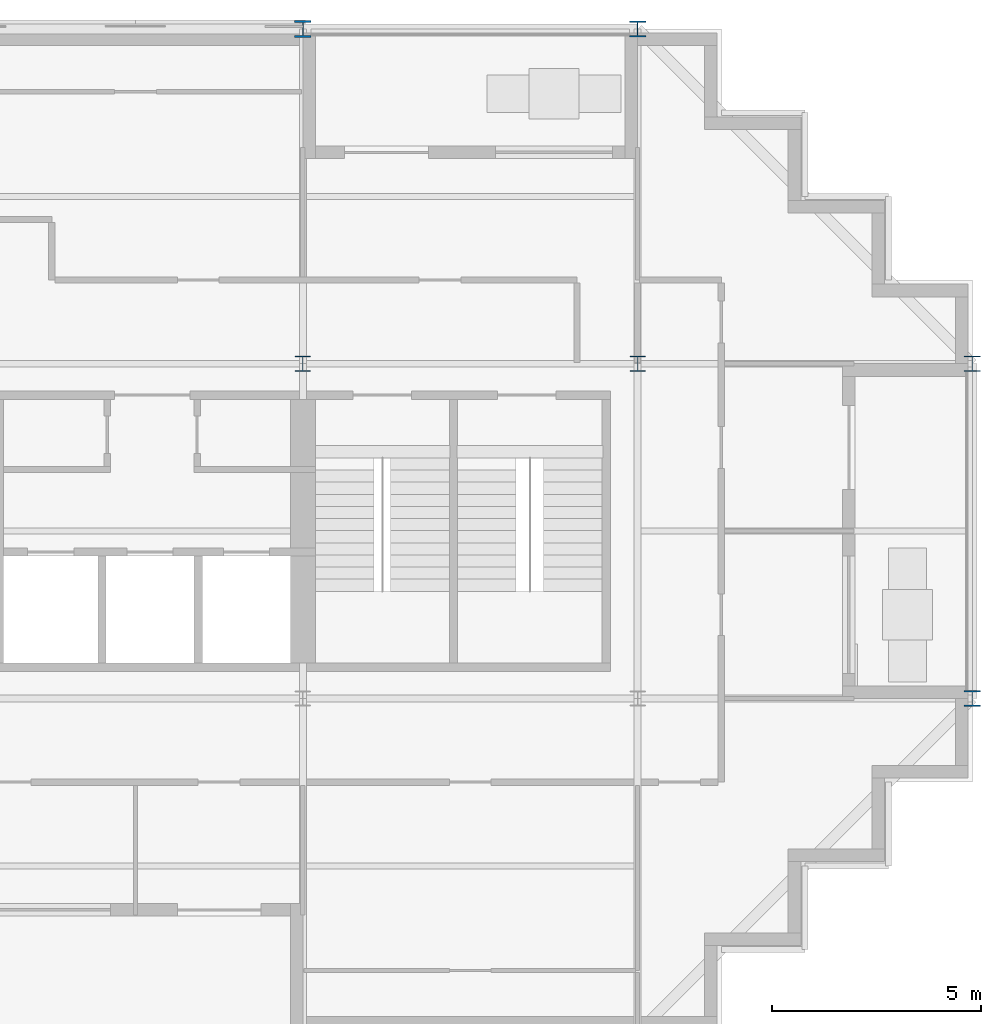
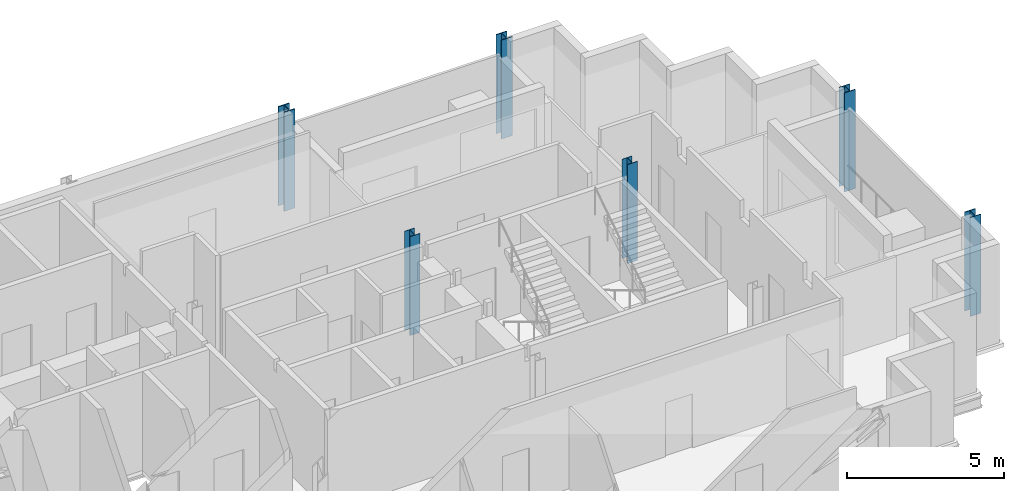
# One storey, part 2 of 10: 6 columns.
"""IFC4 building model written with IfcOpenShell, lengths in metres."""

from ifc_helpers import new_model, si_unit, direction, frame, origin, origin_2d, place, context, subcontext, project, spatial, i_section, extrude, material, material_profile, profile_set, type_object, element, save


model = new_model("IFC4")

# Units and contexts
model_context = context("Model", 3, precision=1e-05, world=origin(), true_north=direction((0.0, 1.0)))
body_context = subcontext(model_context, "Body", "Model", "MODEL_VIEW")
ifc_project = project(units=[si_unit("LENGTHUNIT", "METRE"), si_unit("AREAUNIT", "SQUARE_METRE"), si_unit("VOLUMEUNIT", "CUBIC_METRE"), si_unit("PLANEANGLEUNIT", "RADIAN"), si_unit("MASSUNIT", "GRAM", prefix="KILO")], contexts=[model_context])

# Site, building, storey
site_placement = place(None, origin())
site = spatial("IfcSite", under=ifc_project, at=site_placement, CompositionType="ELEMENT")
building_placement = place(site_placement, origin())
building = spatial("IfcBuilding", under=site, at=building_placement, Name="Immortelle Media Tower", CompositionType="ELEMENT")
storey_placement = place(building_placement, frame((0.0, 0.0, 251.0)))
storey = spatial("IfcBuildingStorey", under=building, at=storey_placement, Name="L54", CompositionType="ELEMENT", Elevation=251.0)

# Columns
ifc_material = material(Name="Steel ASTM A992 Gr 50", Category="steel")
ifc_material_profile_1 = material_profile(ifc_material, i_section(OverallWidth=0.39404296875, OverallDepth=0.3759765625, WebThickness=0.01708984375, FlangeThickness=0.028076171875, at=origin_2d()), Name="W14x145")
ifc_profile_set_1 = profile_set([ifc_material_profile_1], Name="Steel ASTM A992 Gr 50")
column_type_1 = type_object("IfcColumnType", Name="W14x145 column", PredefinedType="COLUMN", material=ifc_profile_set_1)
for number, where, z_axis, x_axis, name in (
    (1, (40.0, 24.0, 0.0), (0.0, 0.0, 1.0), (1.0, 0.0, 0.0), "Column 6/D"),
    (2, (48.0, 8.0, 0.0), (0.0, 0.0, 1.0), (1.0, 0.0, 0.0), "Column 7/B"),
    (3, (48.0, 16.0, 0.0), (0.0, 0.0, 1.0), (1.0, 0.0, 0.0), "Column 7/C"),
):
    element("IfcColumn", number, at=place(storey_placement, frame(where, z_axis=z_axis, x_axis=x_axis)), inside=storey, type_object=column_type_1, Name=name, PredefinedType="COLUMN", context=body_context, shape_type="SweptSolid", body=[
        extrude(i_section(OverallWidth=0.39404296875, OverallDepth=0.3759765625, WebThickness=0.01708984375, FlangeThickness=0.028076171875, at=origin_2d()), origin(), (0.0, 0.0, 1.0), 3.85009765625),
    ])
ifc_material_profile_2 = material_profile(ifc_material, i_section(OverallWidth=0.40087890625, OverallDepth=0.39892578125, WebThickness=0.02490234375, FlangeThickness=0.0400390625, at=origin_2d()), Name="W14x211")
ifc_profile_set_2 = profile_set([ifc_material_profile_2], Name="Steel ASTM A992 Gr 50")
column_type_2 = type_object("IfcColumnType", Name="W14x211 column", PredefinedType="COLUMN", material=ifc_profile_set_2)
column_placement = place(storey_placement, frame((32.0, 24.0, 0.0), z_axis=(0.0, 0.0, 1.0), x_axis=(1.0, 0.0, 0.0)))
element("IfcColumn", 4, at=column_placement, inside=storey, type_object=column_type_2, Name="Column 5/D", PredefinedType="COLUMN", context=body_context, shape_type="SweptSolid", body=[
    extrude(i_section(OverallWidth=0.40087890625, OverallDepth=0.39892578125, WebThickness=0.02490234375, FlangeThickness=0.0400390625, at=origin_2d()), origin(), (0.0, 0.0, 1.0), 3.85009765625),
])
ifc_material_profile_3 = material_profile(ifc_material, i_section(OverallWidth=0.37109375, OverallDepth=0.361083984375, WebThickness=0.011962890625, FlangeThickness=0.02001953125, at=origin_2d()), Name="W14x99")
ifc_profile_set_3 = profile_set([ifc_material_profile_3], Name="Steel ASTM A992 Gr 50")
column_type_3 = type_object("IfcColumnType", Name="W14x99 column", PredefinedType="COLUMN", material=ifc_profile_set_3)
for number, where, z_axis, x_axis, name in (
    (5, (32.0, 16.0, 0.0), (0.0, 0.0, 1.0), (1.0, 0.0, 0.0), "Column 5/C"),
    (6, (40.0, 16.0, 0.0), (0.0, 0.0, 1.0), (1.0, 0.0, 0.0), "Column 6/C"),
):
    element("IfcColumn", number, at=place(storey_placement, frame(where, z_axis=z_axis, x_axis=x_axis)), inside=storey, type_object=column_type_3, Name=name, PredefinedType="COLUMN", context=body_context, shape_type="SweptSolid", body=[
        extrude(i_section(OverallWidth=0.37109375, OverallDepth=0.361083984375, WebThickness=0.011962890625, FlangeThickness=0.02001953125, at=origin_2d()), origin(), (0.0, 0.0, 1.0), 3.85009765625),
    ])

save(model, "model.ifc")
